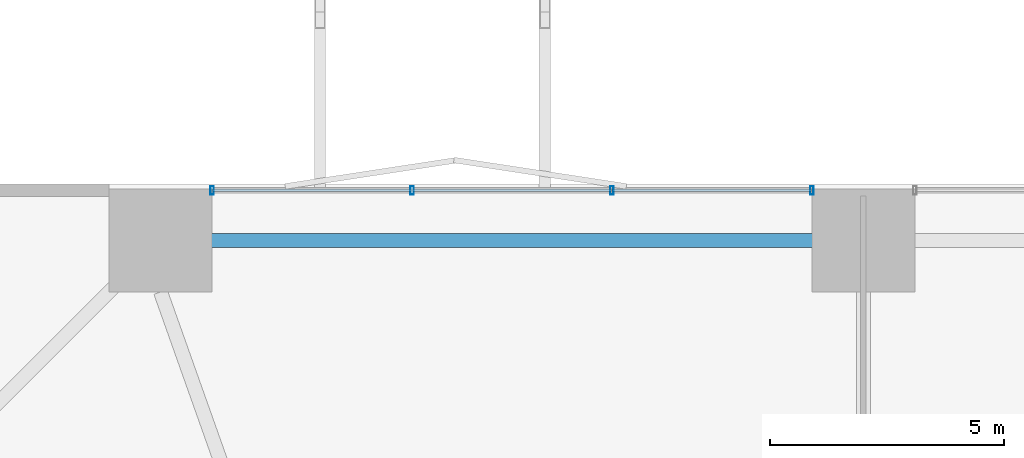
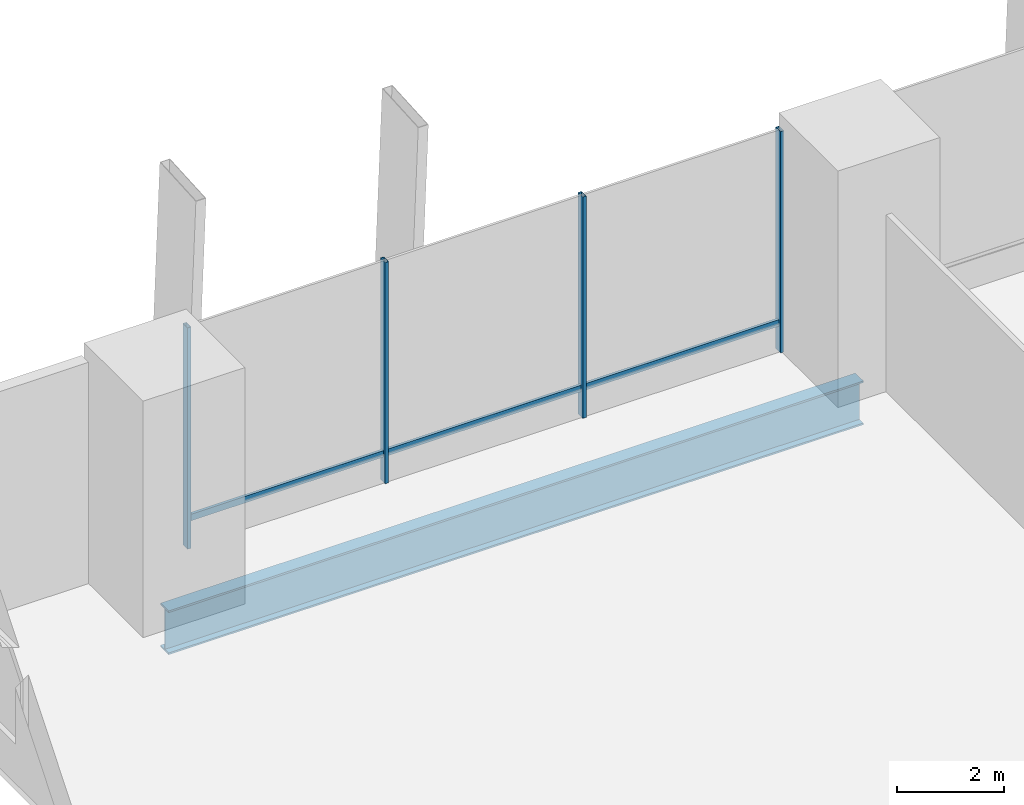
# One storey, part 13 of 24: 7 members, 1 beam, 1 element without a shape of its own.
"""IFC4 building model written with IfcOpenShell, lengths in metres."""

from ifc_helpers import new_model, si_unit, direction, frame, origin, origin_2d, place, context, subcontext, project, spatial, hollow_rectangle, i_section, extrude, material, layer, layer_set, material_profile, profile_set, type_object, element, aggregate, save


model = new_model("IFC4")

# Units and contexts
model_context = context("Model", 3, precision=1e-05, world=origin(), true_north=direction((0.0, 1.0)))
body_context = subcontext(model_context, "Body", "Model", "MODEL_VIEW")
ifc_project = project(units=[si_unit("LENGTHUNIT", "METRE"), si_unit("AREAUNIT", "SQUARE_METRE"), si_unit("VOLUMEUNIT", "CUBIC_METRE"), si_unit("PLANEANGLEUNIT", "RADIAN"), si_unit("MASSUNIT", "GRAM", prefix="KILO")], contexts=[model_context])

# Site, building, storey
site_placement = place(None, origin())
site = spatial("IfcSite", under=ifc_project, at=site_placement, CompositionType="ELEMENT")
building_placement = place(site_placement, origin())
building = spatial("IfcBuilding", under=site, at=building_placement, Name="Belovzor Exchange Tower", CompositionType="ELEMENT")
storey_placement = place(building_placement, frame((0.0, 0.0, 13.800048828125)))
storey = spatial("IfcBuildingStorey", under=building, at=storey_placement, Name="L03", CompositionType="ELEMENT", Elevation=13.800048828125)

# Beam
ifc_material_1 = material(Name="Steel S460", Category="steel")
ifc_material_profile_1 = material_profile(ifc_material_1, i_section(OverallWidth=0.300048828125, OverallDepth=1.0, WebThickness=0.02099609375, FlangeThickness=0.0400390625, at=origin_2d()))
ifc_profile_set_1 = profile_set([ifc_material_profile_1], Name="Steel S460")
beam_type = type_object("IfcBeamType", Name="Podium Exchange Hall Ring Girder HEM 1000", PredefinedType="BEAM", material=ifc_profile_set_1)
beam_placement = place(storey_placement, frame((28.800048828125, 55.800048828125, -0.85009765625), z_axis=(-1.0, 0.0, 0.0), x_axis=(0.0, -1.0, 0.0)))
element("IfcBeam", 1, at=beam_placement, inside=storey, type_object=beam_type, Name="PG-1 Podium Exchange Hall Ring Girder HEM 1000", PredefinedType="BEAM", context=body_context, shape_type="SweptSolid", body=[
    extrude(i_section(OverallWidth=0.300048828125, OverallDepth=1.0, WebThickness=0.02099609375, FlangeThickness=0.0400390625, at=origin_2d()), origin(), (0.0, 0.0, 1.0), 15.0),
])

# Curtain wall, members
ifc_material_2 = material(Name="Anodised Aluminium Framing", Category="aluminium")
ifc_layer = layer(ifc_material_2, 0.219970703125)
ifc_layer_set = layer_set([ifc_layer], Name="Anodised Aluminium Framing")
curtain_wall_type = type_object("IfcCurtainWallType", Name="Podium Clear-Span Exchange Hall Unitised Curtain Wall", PredefinedType="NOTDEFINED", material=ifc_layer_set)
curtain_wall_placement = place(storey_placement, origin())
curtain_wall = element("IfcCurtainWall", 2, at=curtain_wall_placement, inside=storey, type_object=curtain_wall_type, Name="CW1 Podium Clear-Span Exchange Hall Unitised Curtain Wall L03", PredefinedType="NOTDEFINED")
ifc_material_3 = material(Name="Steel S355", Category="steel")
ifc_material_profile_2 = material_profile(ifc_material_3, hollow_rectangle(XDim=0.074951171875, YDim=0.179931640625, WallThickness=0.0048828125, at=origin_2d()))
ifc_profile_set_2 = profile_set([ifc_material_profile_2], Name="Steel S355")
member_type_1 = type_object("IfcMemberType", Name="Thermally Broken Curtain Wall Mullion 180x75", PredefinedType="MULLION", material=ifc_profile_set_2)
member_1_placement = place(storey_placement, frame((14.89990234375, 56.8701171875, 0.0), z_axis=(0.0, 0.0, 1.0), x_axis=(1.0, 0.0, 0.0)))
member_1 = element("IfcMember", 3, at=member_1_placement, type_object=member_type_1, Name="CW-M180 Curtain Wall Mullion 1", PredefinedType="MULLION", context=body_context, shape_type="SweptSolid", body=[
    extrude(hollow_rectangle(XDim=0.074951171875, YDim=0.179931640625, WallThickness=0.0048828125, at=origin_2d()), origin(), (0.0, 0.0, 1.0), 5.050048828125),
])
member_2_placement = place(storey_placement, frame((19.1669921875, 56.8701171875, 0.0), z_axis=(0.0, 0.0, 1.0), x_axis=(1.0, 0.0, 0.0)))
member_2 = element("IfcMember", 4, at=member_2_placement, type_object=member_type_1, Name="CW-M180 Curtain Wall Mullion 2", PredefinedType="MULLION", context=body_context, shape_type="SweptSolid", body=[
    extrude(hollow_rectangle(XDim=0.074951171875, YDim=0.179931640625, WallThickness=0.0048828125, at=origin_2d()), origin(), (0.0, 0.0, 1.0), 5.050048828125),
])
member_3_placement = place(storey_placement, frame((23.43310546875, 56.8701171875, 0.0), z_axis=(0.0, 0.0, 1.0), x_axis=(1.0, 0.0, 0.0)))
member_3 = element("IfcMember", 5, at=member_3_placement, type_object=member_type_1, Name="CW-M180 Curtain Wall Mullion 3", PredefinedType="MULLION", context=body_context, shape_type="SweptSolid", body=[
    extrude(hollow_rectangle(XDim=0.074951171875, YDim=0.179931640625, WallThickness=0.0048828125, at=origin_2d()), origin(), (0.0, 0.0, 1.0), 5.050048828125),
])
member_4_placement = place(storey_placement, frame((27.699951171875, 56.8701171875, 0.0), z_axis=(0.0, 0.0, 1.0), x_axis=(1.0, 0.0, 0.0)))
member_4 = element("IfcMember", 6, at=member_4_placement, type_object=member_type_1, Name="CW-M180 Curtain Wall Mullion 4", PredefinedType="MULLION", context=body_context, shape_type="SweptSolid", body=[
    extrude(hollow_rectangle(XDim=0.074951171875, YDim=0.179931640625, WallThickness=0.0048828125, at=origin_2d()), origin(), (0.0, 0.0, 1.0), 5.050048828125),
])
ifc_material_4 = material(Name="Steel S355", Category="steel")
ifc_material_profile_3 = material_profile(ifc_material_4, hollow_rectangle(XDim=0.06005859375, YDim=0.14990234375, WallThickness=0.00390625, at=origin_2d()))
ifc_profile_set_3 = profile_set([ifc_material_profile_3], Name="Steel S355")
member_type_2 = type_object("IfcMemberType", Name="Thermally Broken Curtain Wall Transom 150x60", PredefinedType="USERDEFINED", material=ifc_profile_set_3)
member_5_placement = place(storey_placement, frame((14.907958984375, 56.8701171875, 0.64990234375), z_axis=(1.0, 0.0, 0.0), x_axis=(0.0, 1.0, 0.0)))
member_5 = element("IfcMember", 7, at=member_5_placement, type_object=member_type_2, Name="CW-T150 Curtain Wall Transom 1", ObjectType="TRANSOM", PredefinedType="USERDEFINED", context=body_context, shape_type="SweptSolid", body=[
    extrude(hollow_rectangle(XDim=0.06005859375, YDim=0.14990234375, WallThickness=0.00390625, at=origin_2d()), origin(), (0.0, 0.0, 1.0), 4.2509765625),
])
member_6_placement = place(storey_placement, frame((19.175048828125, 56.8701171875, 0.64990234375), z_axis=(1.0, 0.0, 0.0), x_axis=(0.0, 1.0, 0.0)))
member_6 = element("IfcMember", 8, at=member_6_placement, type_object=member_type_2, Name="CW-T150 Curtain Wall Transom 2", ObjectType="TRANSOM", PredefinedType="USERDEFINED", context=body_context, shape_type="SweptSolid", body=[
    extrude(hollow_rectangle(XDim=0.06005859375, YDim=0.14990234375, WallThickness=0.00390625, at=origin_2d()), origin(), (0.0, 0.0, 1.0), 4.25),
])
member_7_placement = place(storey_placement, frame((23.44091796875, 56.8701171875, 0.64990234375), z_axis=(1.0, 0.0, 0.0), x_axis=(0.0, 1.0, 0.0)))
member_7 = element("IfcMember", 9, at=member_7_placement, type_object=member_type_2, Name="CW-T150 Curtain Wall Transom 3", ObjectType="TRANSOM", PredefinedType="USERDEFINED", context=body_context, shape_type="SweptSolid", body=[
    extrude(hollow_rectangle(XDim=0.06005859375, YDim=0.14990234375, WallThickness=0.00390625, at=origin_2d()), origin(), (0.0, 0.0, 1.0), 4.2509765625),
])
aggregate(curtain_wall, [member_1, member_2, member_3, member_4, member_5, member_6, member_7])

save(model, "model.ifc")
